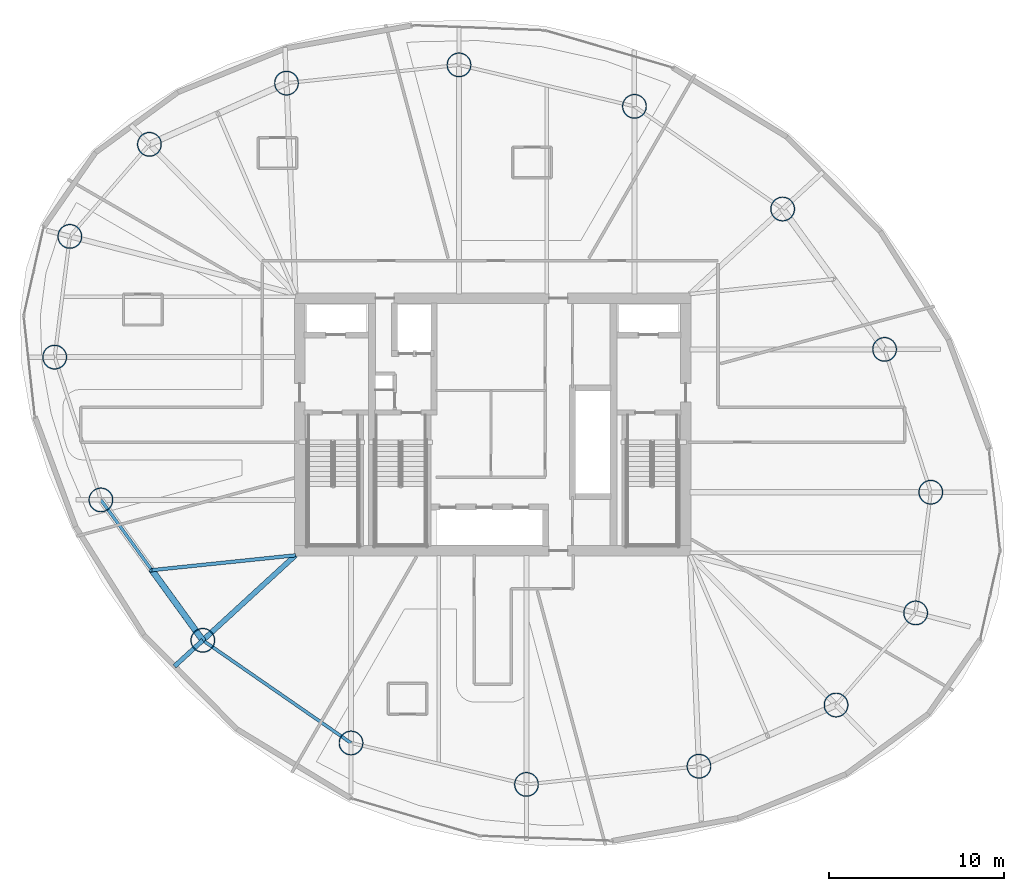
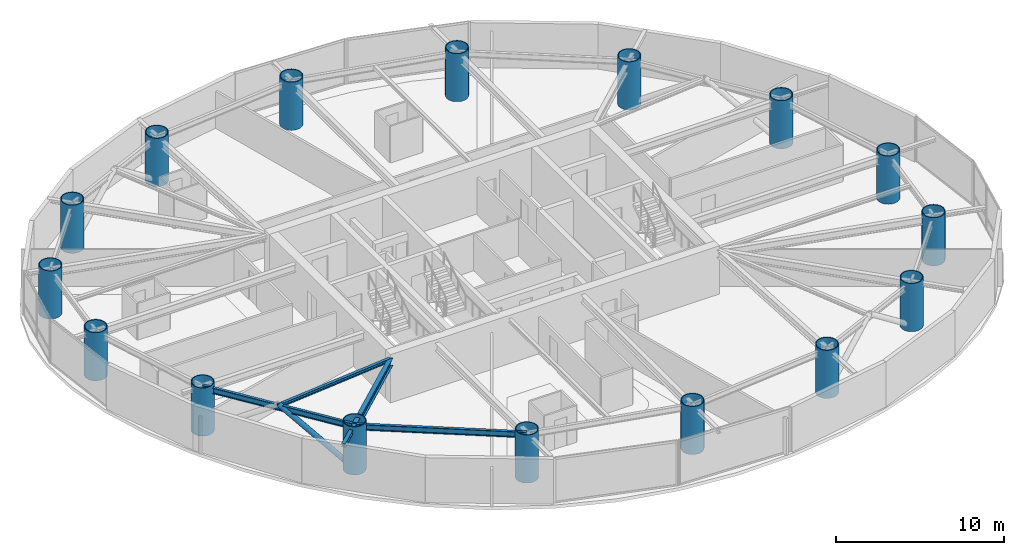
# One storey, part 1 of 22: 16 columns, 5 beams, 1 member.
"""IFC4 building model written with IfcOpenShell, lengths in metres."""

from ifc_helpers import new_model, si_unit, direction, frame, origin, origin_2d, place, context, subcontext, project, spatial, hollow_circle, i_section, extrude, material, material_profile, profile_set, type_object, element, save


model = new_model("IFC4")

# Units and contexts
model_context = context("Model", 3, precision=1e-05, world=origin(), true_north=direction((0.0, 1.0)))
body_context = subcontext(model_context, "Body", "Model", "MODEL_VIEW")
ifc_project = project(units=[si_unit("LENGTHUNIT", "METRE"), si_unit("AREAUNIT", "SQUARE_METRE"), si_unit("VOLUMEUNIT", "CUBIC_METRE"), si_unit("PLANEANGLEUNIT", "RADIAN"), si_unit("MASSUNIT", "GRAM", prefix="KILO")], contexts=[model_context])

# Site, building, storey
site_placement = place(None, origin())
site = spatial("IfcSite", under=ifc_project, at=site_placement, CompositionType="ELEMENT")
building_placement = place(site_placement, origin())
building = spatial("IfcBuilding", under=site, at=building_placement, Name="Bramvorn Convention Spire", CompositionType="ELEMENT")
storey_placement = place(building_placement, frame((0.0, 0.0, 127.300048828125)))
storey = spatial("IfcBuildingStorey", under=building, at=storey_placement, Name="L31", CompositionType="ELEMENT", Elevation=127.300048828125)

# Columns
ifc_material = material(Name="Steel CSA G40.21 Grade 350 (350W)", Category="steel")
ifc_material_profile_1 = material_profile(ifc_material, hollow_circle(Radius=0.699951171875, WallThickness=0.054931640625, at=origin_2d()))
ifc_profile_set_1 = profile_set([ifc_material_profile_1], Name="Steel CSA G40.21 Grade 350 (350W) - CFT1400X55")
column_type = type_object("IfcColumnType", Name="COL-CFT1400X55", PredefinedType="COLUMN", material=ifc_profile_set_1)
for number, where, z_axis, x_axis, name in (
    (1, (62.11767578125, 15.26220703125, 0.0), (0.0, 0.0, 1.0), (1.0, 0.0, 0.0), "L31 composite CFT mega-column MC01"),
    (2, (62.983642578125, 22.148193359375, 0.0), (0.0, 0.0, 1.0), (1.0, 0.0, 0.0), "L31 composite CFT mega-column MC02"),
    (3, (60.345703125, 30.293212890625, 0.0), (0.0, 0.0, 1.0), (1.0, 0.0, 0.0), "L31 composite CFT mega-column MC03"),
    (4, (54.534912109375, 38.299072265625, 0.0), (0.0, 0.0, 1.0), (1.0, 0.0, 0.0), "L31 composite CFT mega-column MC04"),
    (5, (46.082763671875, 44.154052734375, 0.0), (0.0, 0.0, 1.0), (1.0, 0.0, 0.0), "L31 composite CFT mega-column MC05"),
    (6, (36.075927734375, 46.517333984375, 0.0), (0.0, 0.0, 1.0), (1.0, 0.0, 0.0), "L31 composite CFT mega-column MC06"),
    (7, (26.23828125, 45.478759765625, 0.0), (0.0, 0.0, 1.0), (1.0, 0.0, 0.0), "L31 composite CFT mega-column MC07"),
    (8, (18.420166015625, 41.9892578125, 0.0), (0.0, 0.0, 1.0), (1.0, 0.0, 0.0), "L31 composite CFT mega-column MC08"),
    (9, (13.88232421875, 36.73779296875, 0.0), (0.0, 0.0, 1.0), (1.0, 0.0, 0.0), "L31 composite CFT mega-column MC09"),
    (10, (13.016357421875, 29.851806640625, 0.0), (0.0, 0.0, 1.0), (1.0, 0.0, 0.0), "L31 composite CFT mega-column MC10"),
    (11, (15.654296875, 21.706787109375, 0.0), (0.0, 0.0, 1.0), (1.0, 0.0, 0.0), "L31 composite CFT mega-column MC11"),
    (12, (21.465087890625, 13.700927734375, 0.0), (0.0, 0.0, 1.0), (1.0, 0.0, 0.0), "L31 composite CFT mega-column MC12"),
    (13, (29.917236328125, 7.845947265625, 0.0), (0.0, 0.0, 1.0), (1.0, 0.0, 0.0), "L31 composite CFT mega-column MC13"),
    (14, (39.924072265625, 5.482666015625, 0.0), (0.0, 0.0, 1.0), (1.0, 0.0, 0.0), "L31 composite CFT mega-column MC14"),
    (15, (49.76171875, 6.521240234375, 0.0), (0.0, 0.0, 1.0), (1.0, 0.0, 0.0), "L31 composite CFT mega-column MC15"),
    (16, (57.579833984375, 10.0107421875, 0.0), (0.0, 0.0, 1.0), (1.0, 0.0, 0.0), "L31 composite CFT mega-column MC16"),
):
    element("IfcColumn", number, at=place(storey_placement, frame(where, z_axis=z_axis, x_axis=x_axis)), inside=storey, type_object=column_type, Name=name, PredefinedType="COLUMN", context=body_context, shape_type="SweptSolid", body=[
        extrude(hollow_circle(Radius=0.699951171875, WallThickness=0.054931640625, at=origin_2d()), origin(), (0.0, 0.0, 1.0), 3.5),
    ])

# Beams
ifc_material_profile_2 = material_profile(ifc_material, i_section(OverallWidth=0.201904296875, OverallDepth=0.2470703125, WebThickness=0.00732421875, FlangeThickness=0.010986328125, FilletRadius=0.011962890625, at=origin_2d()))
ifc_profile_set_2 = profile_set([ifc_material_profile_2], Name="Steel CSA G40.21 Grade 350 (350W) - W250X49")
beam_type_1 = type_object("IfcBeamType", Name="BM-W250X49", PredefinedType="JOIST", material=ifc_profile_set_2)
beam_1_placement = place(storey_placement, frame((26.75, 18.550048828125, 3.136474609375), z_axis=(-0.994705076194, -0.102770673804, 0.0), x_axis=(0.102770673804, -0.994705076194, 0.0)))
element("IfcBeam", 17, at=beam_1_placement, inside=storey, type_object=beam_type_1, Name="L31 composite floor joist 11", PredefinedType="JOIST", context=body_context, shape_type="SweptSolid", body=[
    extrude(i_section(OverallWidth=0.201904296875, OverallDepth=0.2470703125, WebThickness=0.00732421875, FlangeThickness=0.010986328125, FilletRadius=0.011962890625, at=origin_2d()), origin(), (0.0, 0.0, 1.0), 8.23388671875),
])
ifc_material_profile_3 = material_profile(ifc_material, i_section(OverallWidth=0.25390625, OverallDepth=0.2529296875, WebThickness=0.008544921875, FlangeThickness=0.01416015625, FilletRadius=0.011962890625, at=origin_2d()))
ifc_profile_set_3 = profile_set([ifc_material_profile_3], Name="Steel CSA G40.21 Grade 350 (350W) - W250X73")
beam_type_2 = type_object("IfcBeamType", Name="BM-W250X73", PredefinedType="BEAM", material=ifc_profile_set_3)
beam_2_placement = place(storey_placement, frame((21.465087890625, 13.700927734375, 3.133544921875), z_axis=(-0.736807908595, -0.676102141567, 0.0), x_axis=(0.676102141567, -0.736807908595, 0.0)))
element("IfcBeam", 18, at=beam_2_placement, inside=storey, type_object=beam_type_2, Name="L31 slab-edge cantilever tip beam MC12", PredefinedType="BEAM", context=body_context, shape_type="SweptSolid", body=[
    extrude(i_section(OverallWidth=0.25390625, OverallDepth=0.2529296875, WebThickness=0.008544921875, FlangeThickness=0.01416015625, FilletRadius=0.011962890625, at=origin_2d()), origin(), (0.0, 0.0, 1.0), 2.19580078125),
])
ifc_material_profile_4 = material_profile(ifc_material, i_section(OverallWidth=0.180908203125, OverallDepth=0.4169921875, WebThickness=0.010986328125, FlangeThickness=0.018310546875, FilletRadius=0.01611328125, at=origin_2d()))
ifc_profile_set_4 = profile_set([ifc_material_profile_4], Name="Steel CSA G40.21 Grade 350 (350W) - W410X85")
beam_type_3 = type_object("IfcBeamType", Name="BM-W410X85", PredefinedType="JOIST", material=ifc_profile_set_4)
beam_3_placement = place(storey_placement, frame((15.654296875, 21.706787109375, 3.051513671875), z_axis=(0.587401024629, -0.809296012757, 0.0), x_axis=(0.809296012757, 0.587401024629, 0.0)))
element("IfcBeam", 19, at=beam_3_placement, inside=storey, type_object=beam_type_3, Name="L31 mega-column ring beam 11", PredefinedType="JOIST", context=body_context, shape_type="SweptSolid", body=[
    extrude(i_section(OverallWidth=0.180908203125, OverallDepth=0.4169921875, WebThickness=0.010986328125, FlangeThickness=0.018310546875, FilletRadius=0.01611328125, at=origin_2d()), origin(), (0.0, 0.0, 1.0), 9.892333984375),
])
beam_4_placement = place(storey_placement, frame((21.465087890625, 13.700927734375, 3.051513671875), z_axis=(0.822033166673, -0.569439613032, 0.0), x_axis=(0.569439613032, 0.822033166673, 0.0)))
element("IfcBeam", 20, at=beam_4_placement, inside=storey, type_object=beam_type_3, Name="L31 mega-column ring beam 12", PredefinedType="JOIST", context=body_context, shape_type="SweptSolid", body=[
    extrude(i_section(OverallWidth=0.180908203125, OverallDepth=0.4169921875, WebThickness=0.010986328125, FlangeThickness=0.018310546875, FilletRadius=0.01611328125, at=origin_2d()), origin(), (0.0, 0.0, 1.0), 10.281982421875),
])
ifc_material_profile_5 = material_profile(ifc_material, i_section(OverallWidth=0.2919921875, OverallDepth=0.551025390625, WebThickness=0.01513671875, FlangeThickness=0.0244140625, FilletRadius=0.01904296875, at=origin_2d()))
ifc_profile_set_5 = profile_set([ifc_material_profile_5], Name="Steel CSA G40.21 Grade 350 (350W) - W530X182")
beam_type_4 = type_object("IfcBeamType", Name="BM-W530X182", PredefinedType="BEAM", material=ifc_profile_set_5)
beam_5_placement = place(storey_placement, frame((26.75, 18.550048828125, 2.984375), z_axis=(-0.736833323746, -0.676074443399, 0.0), x_axis=(0.676074443399, -0.736833323746, 0.0)))
element("IfcBeam", 21, at=beam_5_placement, inside=storey, type_object=beam_type_4, Name="L31 radial floor girder MC12", PredefinedType="BEAM", context=body_context, shape_type="SweptSolid", body=[
    extrude(i_section(OverallWidth=0.2919921875, OverallDepth=0.551025390625, WebThickness=0.01513671875, FlangeThickness=0.0244140625, FilletRadius=0.01904296875, at=origin_2d()), origin(), (0.0, 0.0, 1.0), 7.17236328125),
])

# Member
ifc_material_profile_6 = material_profile(ifc_material, hollow_circle(Radius=0.177734375, WallThickness=0.015869140625, at=origin_2d()))
ifc_profile_set_6 = profile_set([ifc_material_profile_6], Name="Steel CSA G40.21 Grade 350 (350W) - CHS356X16")
member_type = type_object("IfcMemberType", Name="MBR-CHS356X16", PredefinedType="BRACE", material=ifc_profile_set_6)
member_placement = place(storey_placement, frame((21.465087890625, 13.700927734375, 0.0), z_axis=(-0.490438622602, 0.67573375262, 0.550321590555), x_axis=(-0.809307745024, -0.587384860074, 0.0)))
element("IfcMember", 22, at=member_placement, inside=storey, type_object=member_type, Name="L31 perimeter Gothic lancet brace 11B", PredefinedType="BRACE", context=body_context, shape_type="SweptSolid", body=[
    extrude(hollow_circle(Radius=0.177734375, WallThickness=0.015869140625, at=origin_2d()), origin(), (0.0, 0.0, 1.0), 5.923828125),
])

save(model, "model.ifc")
